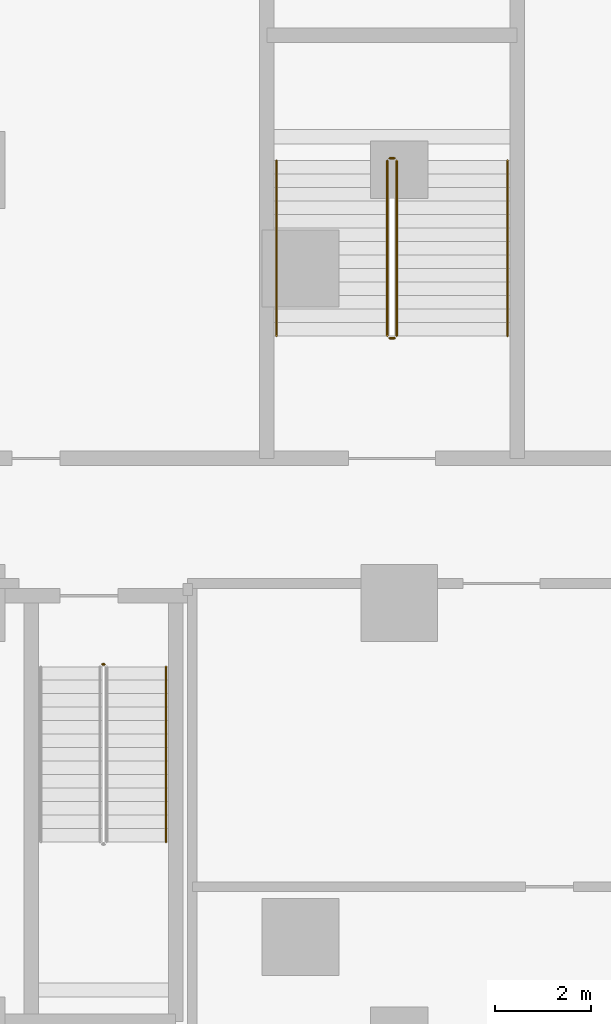
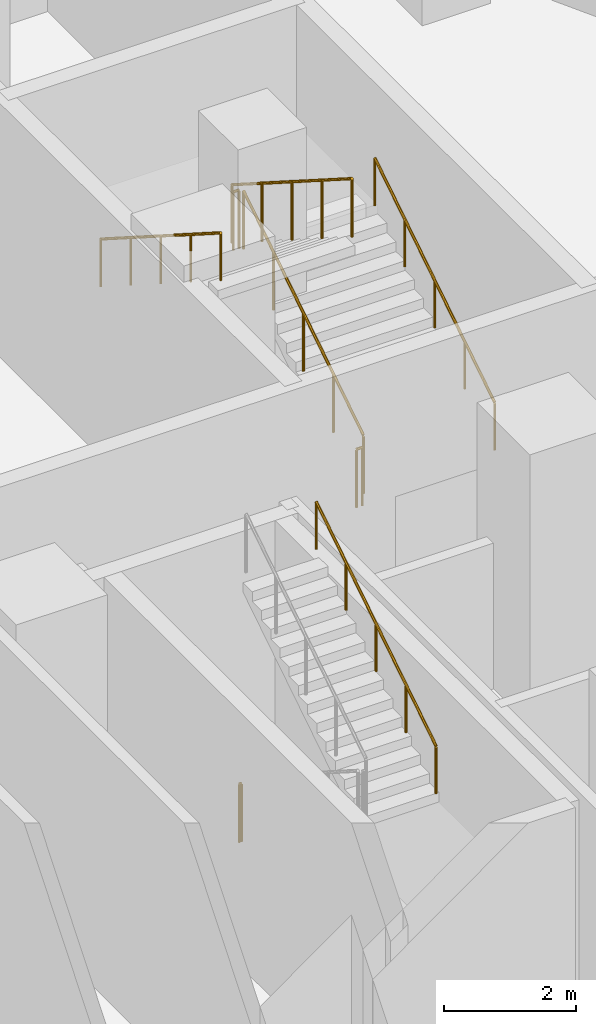
# One storey, part 32 of 35: 8 railings.
"""IFC4 building model written with IfcOpenShell, lengths in metres."""

from ifc_helpers import new_model, si_unit, direction, frame, origin, origin_2d, place, context, subcontext, project, spatial, circle, extrude, material, type_object, element, save


model = new_model("IFC4")

# Units and contexts
model_context = context("Model", 3, precision=1e-05, world=origin(), true_north=direction((0.0, 1.0)))
body_context = subcontext(model_context, "Body", "Model", "MODEL_VIEW")
ifc_project = project(units=[si_unit("LENGTHUNIT", "METRE"), si_unit("AREAUNIT", "SQUARE_METRE"), si_unit("VOLUMEUNIT", "CUBIC_METRE"), si_unit("PLANEANGLEUNIT", "RADIAN"), si_unit("MASSUNIT", "GRAM", prefix="KILO")], contexts=[model_context])

# Site, building, storey
site_placement = place(None, origin())
site = spatial("IfcSite", under=ifc_project, at=site_placement, CompositionType="ELEMENT")
building_placement = place(site_placement, origin())
building = spatial("IfcBuilding", under=site, at=building_placement, Name="Ogive Portal Towers", CompositionType="ELEMENT")
storey_placement = place(building_placement, frame((0.0, 0.0, 23.5)))
storey = spatial("IfcBuildingStorey", under=building, at=storey_placement, Name="L04", CompositionType="ELEMENT", Elevation=23.5)

# Railings
ifc_material_1 = material(Name="Stainless steel balustrade", Category="steel")
railing_type_1 = type_object("IfcRailingType", Name="INT-GUARD", PredefinedType="GUARDRAIL", material=ifc_material_1)
railing_1_placement = place(storey_placement, frame((88.330078125, 29.219970703125, 0.0)))
element("IfcRailing", 1, at=railing_1_placement, inside=storey, type_object=railing_type_1, Name="L04 ST-A4 stair guard 4", PredefinedType="GUARDRAIL", context=body_context, shape_type="SweptSolid", body=[
    extrude(circle(Radius=0.02392578125, at=origin_2d()), frame((0.0, 0.0, 1.076171875), z_axis=(1.0, 0.0, 0.0), x_axis=(0.0, 1.0, 0.0)), (0.0, 0.0, 1.0), 0.0400390625),
    extrude(circle(Radius=0.02099609375, at=origin_2d()), origin(), (0.0, 0.0, 1.0), 1.052001953125),
    extrude(circle(Radius=0.02099609375, at=origin_2d()), frame((0.0400390625, 0.0, 0.0)), (0.0, 0.0, 1.0), 1.052001953125),
])
railing_2_placement = place(storey_placement, frame((94.449951171875, 36.050048828125, 0.178466796875)))
element("IfcRailing", 2, at=railing_2_placement, inside=storey, type_object=railing_type_1, Name="L04 ST-P1 stair guard 1", PredefinedType="GUARDRAIL", context=body_context, shape_type="SweptSolid", body=[
    extrude(circle(Radius=0.02392578125, at=origin_2d()), frame((0.0, 0.0, 1.076171875), z_axis=(0.0, 0.843111507901, 0.53773877045), x_axis=(-1.0, 0.0, 0.0)), (0.0, 0.0, 1.0), 4.317138671875),
    extrude(circle(Radius=0.02099609375, at=origin_2d()), origin(), (0.0, 0.0, 1.0), 1.052001953125),
    extrude(circle(Radius=0.02099609375, at=origin_2d()), frame((0.0, 0.909912109375, 0.580322265625)), (0.0, 0.0, 1.0), 1.052001953125),
    extrude(circle(Radius=0.02099609375, at=origin_2d()), frame((0.0, 1.81982421875, 1.16064453125)), (0.0, 0.0, 1.0), 1.052001953125),
    extrude(circle(Radius=0.02099609375, at=origin_2d()), frame((0.0, 2.72998046875, 1.7412109375)), (0.0, 0.0, 1.0), 1.052001953125),
    extrude(circle(Radius=0.02099609375, at=origin_2d()), frame((0.0, 3.639892578125, 2.321533203125)), (0.0, 0.0, 1.0), 1.052001953125),
])
railing_3_placement = place(storey_placement, frame((94.39990234375, 39.739990234375, 2.5)))
element("IfcRailing", 3, at=railing_3_placement, inside=storey, type_object=railing_type_1, Name="L04 ST-P1 stair guard 2", PredefinedType="GUARDRAIL", context=body_context, shape_type="SweptSolid", body=[
    extrude(circle(Radius=0.02392578125, at=origin_2d()), frame((0.0, 0.0, 1.076171875), z_axis=(-1.0, 0.0, 0.0), x_axis=(0.0, -1.0, 0.0)), (0.0, 0.0, 1.0), 0.099853515625),
    extrude(circle(Radius=0.02099609375, at=origin_2d()), origin(), (0.0, 0.0, 1.0), 1.052001953125),
    extrude(circle(Radius=0.02099609375, at=origin_2d()), frame((-0.099853515625, 0.0, 0.0)), (0.0, 0.0, 1.0), 1.052001953125),
])
railing_4_placement = place(storey_placement, frame((94.25, 39.68994140625, 2.678466796875)))
element("IfcRailing", 4, at=railing_4_placement, inside=storey, type_object=railing_type_1, Name="L04 ST-P1 stair guard 3", PredefinedType="GUARDRAIL", context=body_context, shape_type="SweptSolid", body=[
    extrude(circle(Radius=0.02392578125, at=origin_2d()), frame((0.0, 0.0, 1.076171875), z_axis=(0.0, -0.843111507901, 0.53773877045), x_axis=(1.0, 0.0, 0.0)), (0.0, 0.0, 1.0), 4.317138671875),
    extrude(circle(Radius=0.02099609375, at=origin_2d()), origin(), (0.0, 0.0, 1.0), 1.052001953125),
    extrude(circle(Radius=0.02099609375, at=origin_2d()), frame((0.0, -0.909912109375, 0.580322265625)), (0.0, 0.0, 1.0), 1.052001953125),
    extrude(circle(Radius=0.02099609375, at=origin_2d()), frame((0.0, -1.81982421875, 1.16064453125)), (0.0, 0.0, 1.0), 1.052001953125),
    extrude(circle(Radius=0.02099609375, at=origin_2d()), frame((0.0, -2.72998046875, 1.7412109375)), (0.0, 0.0, 1.0), 1.052001953125),
    extrude(circle(Radius=0.02099609375, at=origin_2d()), frame((0.0, -3.639892578125, 2.321533203125)), (0.0, 0.0, 1.0), 1.052001953125),
])
railing_5_placement = place(storey_placement, frame((94.39990234375, 36.0, 0.0)))
element("IfcRailing", 5, at=railing_5_placement, inside=storey, type_object=railing_type_1, Name="L04 ST-P1 stair guard 4", PredefinedType="GUARDRAIL", context=body_context, shape_type="SweptSolid", body=[
    extrude(circle(Radius=0.02392578125, at=origin_2d()), frame((0.0, 0.0, 1.076171875), z_axis=(-1.0, 0.0, 0.0), x_axis=(0.0, -1.0, 0.0)), (0.0, 0.0, 1.0), 0.099853515625),
    extrude(circle(Radius=0.02099609375, at=origin_2d()), origin(), (0.0, 0.0, 1.0), 1.052001953125),
    extrude(circle(Radius=0.02099609375, at=origin_2d()), frame((-0.099853515625, 0.0, 0.0)), (0.0, 0.0, 1.0), 1.052001953125),
])
ifc_material_2 = material(Name="Stainless steel handrail", Category="steel")
railing_type_2 = type_object("IfcRailingType", Name="INT-HANDRAIL", PredefinedType="HANDRAIL", material=ifc_material_2)
for number, where, name in (
    (6, (89.64990234375, 25.530029296875, 2.678466796875), "L04 ST-A4 stair handrail 2"),
    (7, (96.75, 36.050048828125, 0.178466796875), "L04 ST-P1 stair handrail 1"),
):
    element("IfcRailing", number, at=place(storey_placement, frame(where)), inside=storey, type_object=railing_type_2, Name=name, PredefinedType="HANDRAIL", context=body_context, shape_type="SweptSolid", body=[
        extrude(circle(Radius=0.02392578125, at=origin_2d()), frame((0.0, 0.0, 0.8759765625), z_axis=(0.0, 0.843111507901, 0.53773877045), x_axis=(-1.0, 0.0, 0.0)), (0.0, 0.0, 1.0), 4.317138671875),
        extrude(circle(Radius=0.02099609375, at=origin_2d()), origin(), (0.0, 0.0, 1.0), 0.851806640625),
        extrude(circle(Radius=0.02099609375, at=origin_2d()), frame((0.0, 0.909912109375, 0.580322265625)), (0.0, 0.0, 1.0), 0.851806640625),
        extrude(circle(Radius=0.02099609375, at=origin_2d()), frame((0.0, 1.81982421875, 1.16064453125)), (0.0, 0.0, 1.0), 0.851806640625),
        extrude(circle(Radius=0.02099609375, at=origin_2d()), frame((0.0, 2.72998046875, 1.7412109375)), (0.0, 0.0, 1.0), 0.851806640625),
        extrude(circle(Radius=0.02099609375, at=origin_2d()), frame((0.0, 3.639892578125, 2.321533203125)), (0.0, 0.0, 1.0), 0.851806640625),
    ])
railing_6_placement = place(storey_placement, frame((91.949951171875, 39.68994140625, 2.678466796875)))
element("IfcRailing", 8, at=railing_6_placement, inside=storey, type_object=railing_type_2, Name="L04 ST-P1 stair handrail 2", PredefinedType="HANDRAIL", context=body_context, shape_type="SweptSolid", body=[
    extrude(circle(Radius=0.02392578125, at=origin_2d()), frame((0.0, 0.0, 0.8759765625), z_axis=(0.0, -0.843111507901, 0.53773877045), x_axis=(1.0, 0.0, 0.0)), (0.0, 0.0, 1.0), 4.317138671875),
    extrude(circle(Radius=0.02099609375, at=origin_2d()), origin(), (0.0, 0.0, 1.0), 0.851806640625),
    extrude(circle(Radius=0.02099609375, at=origin_2d()), frame((0.0, -0.909912109375, 0.580322265625)), (0.0, 0.0, 1.0), 0.851806640625),
    extrude(circle(Radius=0.02099609375, at=origin_2d()), frame((0.0, -1.81982421875, 1.16064453125)), (0.0, 0.0, 1.0), 0.851806640625),
    extrude(circle(Radius=0.02099609375, at=origin_2d()), frame((0.0, -2.72998046875, 1.7412109375)), (0.0, 0.0, 1.0), 0.851806640625),
    extrude(circle(Radius=0.02099609375, at=origin_2d()), frame((0.0, -3.639892578125, 2.321533203125)), (0.0, 0.0, 1.0), 0.851806640625),
])

save(model, "model.ifc")
